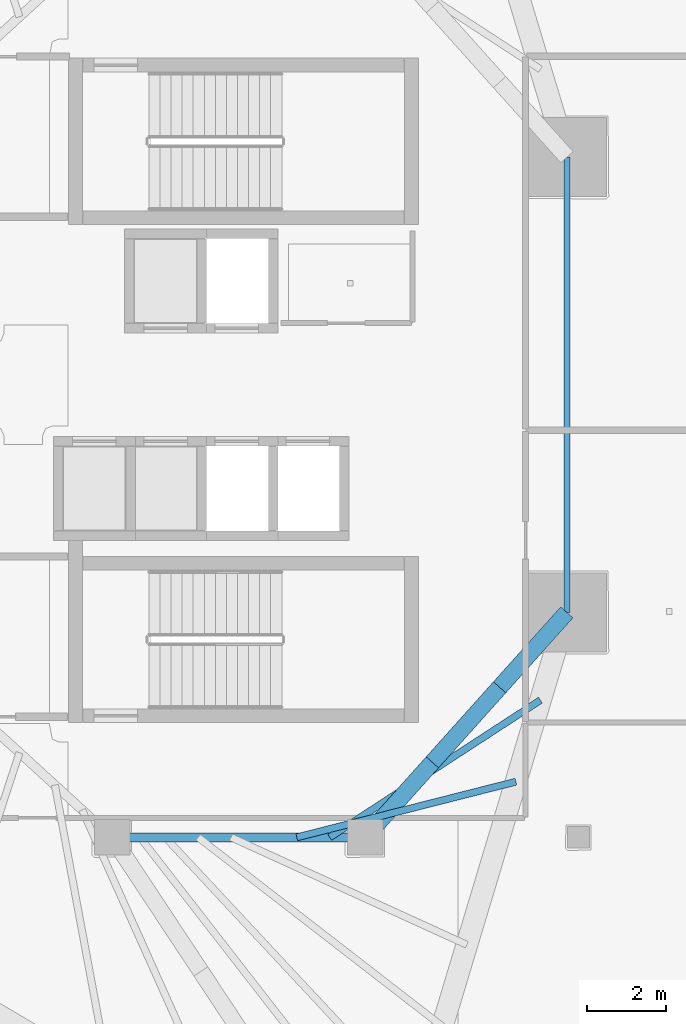
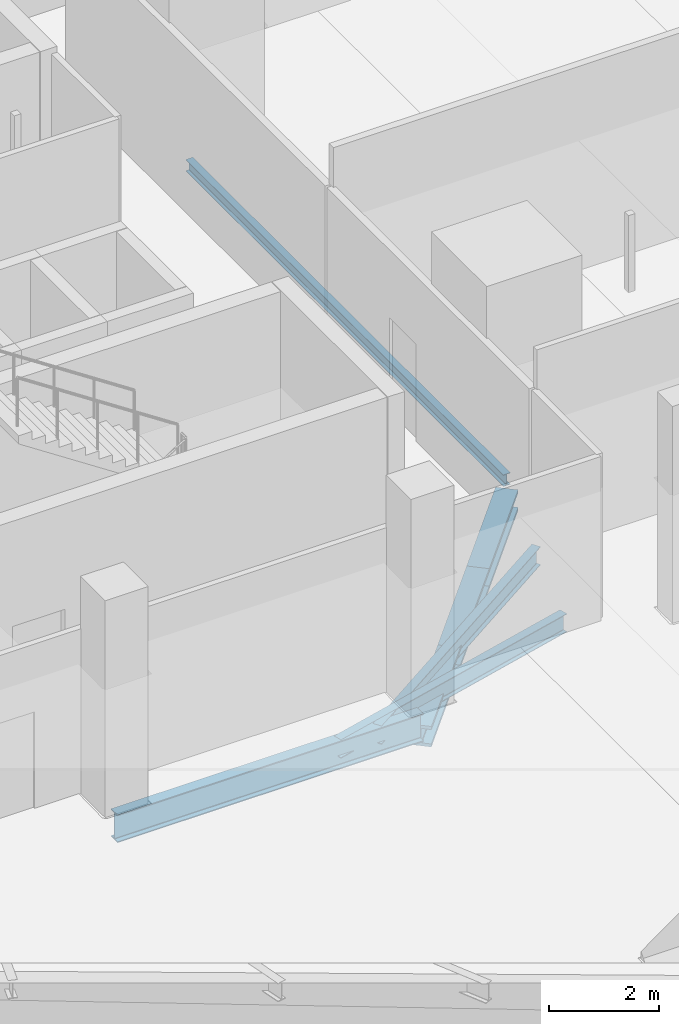
# One storey, part 12 of 36: 4 beams, 3 members.
"""IFC4 building model written with IfcOpenShell, lengths in metres."""

from ifc_helpers import new_model, si_unit, direction, frame, origin, origin_2d, place, context, subcontext, project, spatial, i_section, extrude, material, material_profile, profile_set, type_object, element, save


model = new_model("IFC4")

# Units and contexts
model_context = context("Model", 3, precision=1e-05, world=origin(), true_north=direction((0.0, 1.0)))
body_context = subcontext(model_context, "Body", "Model", "MODEL_VIEW")
ifc_project = project(units=[si_unit("LENGTHUNIT", "METRE"), si_unit("AREAUNIT", "SQUARE_METRE"), si_unit("VOLUMEUNIT", "CUBIC_METRE"), si_unit("PLANEANGLEUNIT", "RADIAN"), si_unit("MASSUNIT", "GRAM", prefix="KILO")], contexts=[model_context])

# Site, building, storey
site_placement = place(None, origin())
site = spatial("IfcSite", under=ifc_project, at=site_placement, CompositionType="ELEMENT")
building_placement = place(site_placement, origin())
building = spatial("IfcBuilding", under=site, at=building_placement, Name="Qorvath Tower", CompositionType="ELEMENT")
storey_placement = place(building_placement, frame((0.0, 0.0, 180.0)))
storey = spatial("IfcBuildingStorey", under=building, at=storey_placement, Name="L41", CompositionType="ELEMENT", Elevation=180.0)

# Beams
ifc_material_1 = material(Name="Steel ASTM A992 Grade 50", Category="steel")
ifc_material_profile_1 = material_profile(ifc_material_1, i_section(OverallWidth=0.22998046875, OverallDepth=0.616943359375, WebThickness=0.01318359375, FlangeThickness=0.022216796875, FilletRadius=0.014892578125, at=origin_2d()), Name="W24x94")
ifc_profile_set_1 = profile_set([ifc_material_profile_1], Name="Steel ASTM A992 Grade 50")
beam_type_1 = type_object("IfcBeamType", Name="BM-FG6", PredefinedType="BEAM", material=ifc_profile_set_1)
beam_1_placement = place(storey_placement, frame((-17.199951171875, -11.449951171875, -0.6083984375), z_axis=(-1.0, 0.0, 0.0), x_axis=(0.0, -1.0, 0.0)))
element("IfcBeam", 1, at=beam_1_placement, inside=storey, type_object=beam_type_1, Name="Core Ring Girder CC3-CC4 L41", PredefinedType="BEAM", context=body_context, shape_type="SweptSolid", body=[
    extrude(i_section(OverallWidth=0.22998046875, OverallDepth=0.616943359375, WebThickness=0.01318359375, FlangeThickness=0.022216796875, FilletRadius=0.014892578125, at=origin_2d()), origin(), (0.0, 0.0, 1.0), 6.400146484375),
])
ifc_material_2 = material(Name="Steel ASTM A992 Grade 50", Category="steel")
ifc_material_profile_2 = material_profile(ifc_material_2, i_section(OverallWidth=0.177978515625, OverallDepth=0.406005859375, WebThickness=0.0078125, FlangeThickness=0.0126953125, FilletRadius=0.010986328125, at=origin_2d()), Name="W16x40")
ifc_profile_set_2 = profile_set([ifc_material_profile_2], Name="Steel ASTM A992 Grade 50")
beam_type_2 = type_object("IfcBeamType", Name="BM-FJ3", PredefinedType="JOIST", material=ifc_profile_set_2)
beam_2_placement = place(storey_placement, frame((-18.095947265625, -11.449951171875, -0.5029296875), z_axis=(0.838041756057, 0.545606098853, 0.0), x_axis=(-0.545606098853, 0.838041756057, 0.0)))
element("IfcBeam", 2, at=beam_2_placement, inside=storey, type_object=beam_type_2, Name="Composite Floor Joist SE1 L41", PredefinedType="JOIST", context=body_context, shape_type="SweptSolid", body=[
    extrude(i_section(OverallWidth=0.177978515625, OverallDepth=0.406005859375, WebThickness=0.0078125, FlangeThickness=0.0126953125, FilletRadius=0.010986328125, at=origin_2d()), origin(), (0.0, 0.0, 1.0), 6.36083984375),
])
beam_3_placement = place(storey_placement, frame((-18.927978515625, -11.449951171875, -0.5029296875), z_axis=(0.969231577698, 0.246150662794, 0.0), x_axis=(-0.246150662794, 0.969231577698, 0.0)))
element("IfcBeam", 3, at=beam_3_placement, inside=storey, type_object=beam_type_2, Name="Composite Floor Joist SE2 L41", PredefinedType="JOIST", context=body_context, shape_type="SweptSolid", body=[
    extrude(i_section(OverallWidth=0.177978515625, OverallDepth=0.406005859375, WebThickness=0.0078125, FlangeThickness=0.0126953125, FilletRadius=0.010986328125, at=origin_2d()), origin(), (0.0, 0.0, 1.0), 5.718017578125),
])
ifc_material_3 = material(Name="Steel ASTM A992 Grade 50", Category="steel")
ifc_material_profile_3 = material_profile(ifc_material_3, i_section(OverallWidth=0.14599609375, OverallDepth=0.258056640625, WebThickness=0.006103515625, FlangeThickness=0.009033203125, FilletRadius=0.009033203125, at=origin_2d()), Name="W10x22")
ifc_profile_set_3 = profile_set([ifc_material_profile_3], Name="Steel ASTM A992 Grade 50")
beam_type_3 = type_object("IfcBeamType", Name="BM-LN2", PredefinedType="LINTEL", material=ifc_profile_set_3)
beam_4_placement = place(storey_placement, frame((-12.0966796875, -5.7578125, -0.428955078125), z_axis=(0.0, 1.0, 0.0), x_axis=(-1.0, 0.0, 0.0)))
element("IfcBeam", 4, at=beam_4_placement, inside=storey, type_object=beam_type_3, Name="Slot Portal Lintel Beam L41", PredefinedType="LINTEL", context=body_context, shape_type="SweptSolid", body=[
    extrude(i_section(OverallWidth=0.14599609375, OverallDepth=0.258056640625, WebThickness=0.006103515625, FlangeThickness=0.009033203125, FilletRadius=0.009033203125, at=origin_2d()), origin(), (0.0, 0.0, 1.0), 11.515625),
])

# Members
ifc_material_4 = material(Name="Steel ASTM A913 Grade 65", Category="steel")
ifc_material_profile_4 = material_profile(ifc_material_4, i_section(OverallWidth=0.4189453125, OverallDepth=0.455078125, WebThickness=0.0419921875, FlangeThickness=0.067626953125, FilletRadius=0.02490234375, at=origin_2d()), Name="W14x370")
ifc_profile_set_4 = profile_set([ifc_material_profile_4], Name="Steel ASTM A913 Grade 65")
member_type = type_object("IfcMemberType", Name="MEM-OT2", PredefinedType="CHORD", material=ifc_profile_set_4)
member_placement = place(storey_placement, frame((-17.199951171875, -11.449951171875, -0.85009765625), z_axis=(0.66753952077, 0.744574367146, 0.0), x_axis=(-0.744574367146, 0.66753952077, 0.0)))
element("IfcMember", 5, at=member_placement, inside=storey, type_object=member_type, Name="Outrigger and Belt Truss Top Chord OB2-3.1", PredefinedType="CHORD", context=body_context, shape_type="SweptSolid", body=[
    extrude(i_section(OverallWidth=0.4189453125, OverallDepth=0.455078125, WebThickness=0.0419921875, FlangeThickness=0.067626953125, FilletRadius=0.02490234375, at=origin_2d()), origin(), (0.0, 0.0, 1.0), 2.548095703125),
])
for number, where, z_axis, x_axis, name in (
    (6, (-15.4990234375, -9.552734375, -0.85009765625), (0.667545015752, 0.744569440646, 0.0), (-0.744569440646, 0.667545015752, 0.0), "Outrigger and Belt Truss Top Chord OB2-3.2"),
    (7, (-13.7978515625, -7.6552734375, -0.85009765625), (0.667545015752, 0.744569440646, 0.0), (-0.744569440646, 0.667545015752, 0.0), "Outrigger and Belt Truss Top Chord OB2-3.3"),
):
    element("IfcMember", number, at=place(storey_placement, frame(where, z_axis=z_axis, x_axis=x_axis)), inside=storey, type_object=member_type, Name=name, PredefinedType="CHORD", context=body_context, shape_type="SweptSolid", body=[
        extrude(i_section(OverallWidth=0.4189453125, OverallDepth=0.455078125, WebThickness=0.0419921875, FlangeThickness=0.067626953125, FilletRadius=0.02490234375, at=origin_2d()), origin(), (0.0, 0.0, 1.0), 2.54833984375),
    ])

save(model, "model.ifc")
